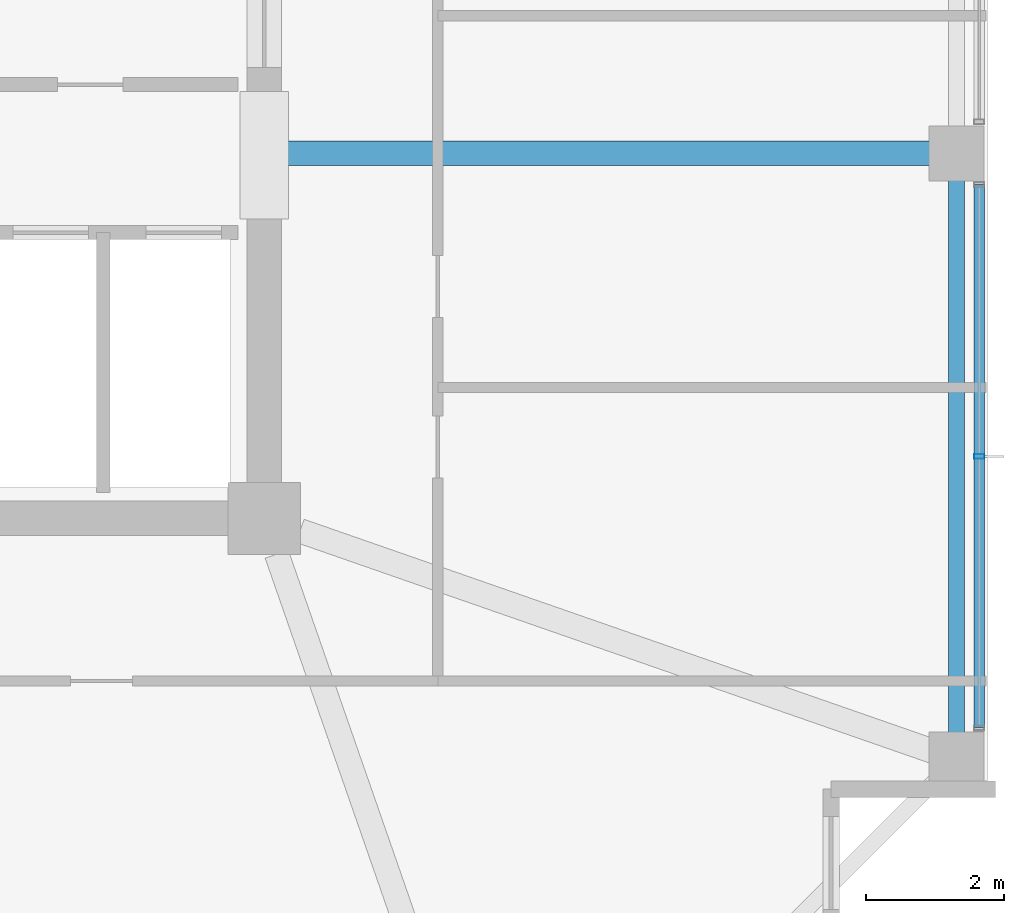
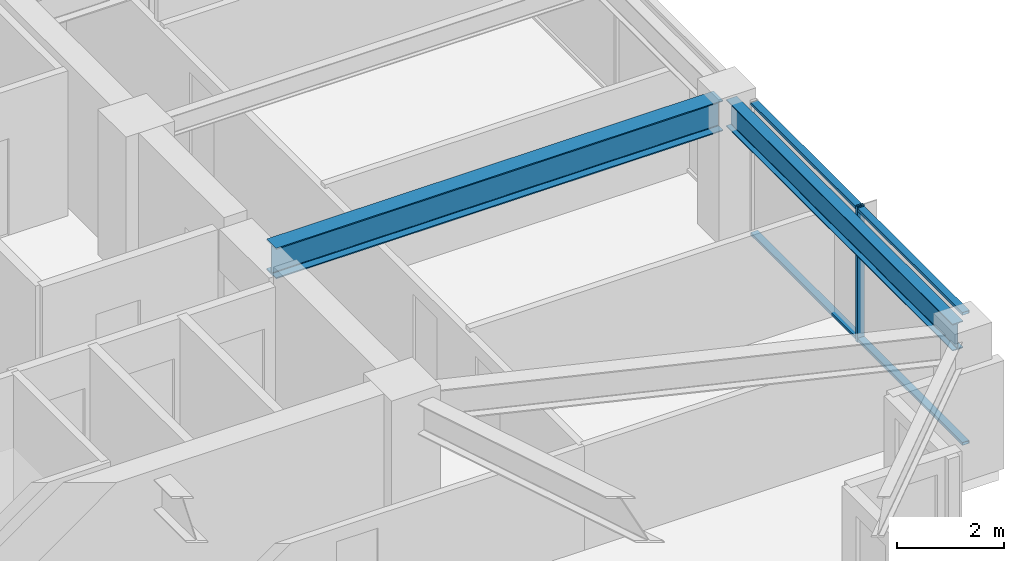
# One storey, part 12 of 36: 3 members, 2 beams, 1 element without a shape of its own.
"""IFC4 building model written with IfcOpenShell, lengths in metres."""

from ifc_helpers import new_model, si_unit, direction, frame, origin, origin_2d, place, context, subcontext, project, spatial, hollow_rectangle, i_section, extrude, material, material_profile, profile_set, type_object, element, aggregate, save


model = new_model("IFC4")

# Units and contexts
model_context = context("Model", 3, precision=1e-05, world=origin(), true_north=direction((0.0, 1.0)))
body_context = subcontext(model_context, "Body", "Model", "MODEL_VIEW")
ifc_project = project(units=[si_unit("LENGTHUNIT", "METRE"), si_unit("AREAUNIT", "SQUARE_METRE"), si_unit("VOLUMEUNIT", "CUBIC_METRE"), si_unit("PLANEANGLEUNIT", "RADIAN"), si_unit("MASSUNIT", "GRAM", prefix="KILO")], contexts=[model_context])

# Site, building, storey
site_placement = place(None, origin())
site = spatial("IfcSite", under=ifc_project, at=site_placement, CompositionType="ELEMENT")
building_placement = place(site_placement, origin())
building = spatial("IfcBuilding", under=site, at=building_placement, Name="Kolvaren Belvedere", CompositionType="ELEMENT")
storey_placement = place(building_placement, frame((0.0, 0.0, 199.800048828125)))
storey = spatial("IfcBuildingStorey", under=building, at=storey_placement, Name="L58", CompositionType="ELEMENT", Elevation=199.800048828125)

# Beams
ifc_material_1 = material(Name="Structural steel ASTM A992 Grade 50", Category="steel")
ifc_material_profile_1 = material_profile(ifc_material_1, i_section(OverallWidth=0.35498046875, OverallDepth=0.696044921875, WebThickness=0.015380859375, FlangeThickness=0.02490234375, FilletRadius=0.02197265625, at=origin_2d()), Name="W27X146")
ifc_profile_set_1 = profile_set([ifc_material_profile_1], Name="Structural steel ASTM A992 Grade 50")
beam_type_1 = type_object("IfcBeamType", Name="BM-GIRD-W27X146", PredefinedType="BEAM", material=ifc_profile_set_1)
beam_1_placement = place(storey_placement, frame((10.14990234375, -4.60009765625, 2.73193359375), z_axis=(1.0, 0.0, 0.0), x_axis=(0.0, 1.0, 0.0)))
element("IfcBeam", 1, at=beam_1_placement, inside=storey, type_object=beam_type_1, Name="L58 East Radial Girder M", PredefinedType="BEAM", context=body_context, shape_type="SweptSolid", body=[
    extrude(i_section(OverallWidth=0.35498046875, OverallDepth=0.696044921875, WebThickness=0.015380859375, FlangeThickness=0.02490234375, FilletRadius=0.02197265625, at=origin_2d()), origin(), (0.0, 0.0, 1.0), 9.6201171875),
])
ifc_material_2 = material(Name="Structural steel ASTM A992 Grade 50", Category="steel")
ifc_material_profile_2 = material_profile(ifc_material_2, i_section(OverallWidth=0.22900390625, OverallDepth=0.612060546875, WebThickness=0.011962890625, FlangeThickness=0.01953125, FilletRadius=0.01806640625, at=origin_2d()), Name="W24X84")
ifc_profile_set_2 = profile_set([ifc_material_profile_2], Name="Structural steel ASTM A992 Grade 50")
beam_type_2 = type_object("IfcBeamType", Name="BM-SPAN-W24X84", PredefinedType="SPANDREL", material=ifc_profile_set_2)
beam_2_placement = place(storey_placement, frame((19.949951171875, -13.219970703125, 2.77392578125), z_axis=(0.0, 1.0, 0.0), x_axis=(-1.0, 0.0, 0.0)))
element("IfcBeam", 2, at=beam_2_placement, inside=storey, type_object=beam_type_2, Name="L58 Perimeter Spandrel E1-E2", PredefinedType="SPANDREL", context=body_context, shape_type="SweptSolid", body=[
    extrude(i_section(OverallWidth=0.22900390625, OverallDepth=0.612060546875, WebThickness=0.011962890625, FlangeThickness=0.01953125, FilletRadius=0.01806640625, at=origin_2d()), origin(), (0.0, 0.0, 1.0), 8.43994140625),
])

# Curtain wall, members
ifc_material_3 = material(Name="Anodised pale-metal aluminium AA 6063-T6", Category="aluminium")
curtain_wall_type = type_object("IfcCurtainWallType", Name="CW-Z5-HIGH", PredefinedType="NOTDEFINED", material=ifc_material_3)
curtain_wall_placement = place(storey_placement, origin())
curtain_wall = element("IfcCurtainWall", 3, at=curtain_wall_placement, inside=storey, type_object=curtain_wall_type, Name="L58 Unitised Curtain Wall FCW-L58-E-B3", PredefinedType="NOTDEFINED")
ifc_material_4 = material(Name="Anodised pale-metal aluminium AA 6063-T6", Category="aluminium")
ifc_material_profile_3 = material_profile(ifc_material_4, hollow_rectangle(XDim=0.070068359375, YDim=0.14990234375, WallThickness=0.004150390625, at=origin_2d()), Name="ALU-MUL-150X70")
ifc_profile_set_3 = profile_set([ifc_material_profile_3], Name="Anodised pale-metal aluminium AA 6063-T6")
member_type_1 = type_object("IfcMemberType", Name="CW-MUL-150", PredefinedType="MULLION", material=ifc_profile_set_3)
member_1_placement = place(storey_placement, frame((20.280029296875, -9.0, 0.0), z_axis=(0.0, 0.0, 1.0), x_axis=(0.0, 1.0, 0.0)))
member_1 = element("IfcMember", 4, at=member_1_placement, type_object=member_type_1, Name="FCW-L58-E-B3 Unitised Mullion 2", PredefinedType="MULLION", context=body_context, shape_type="SweptSolid", body=[
    extrude(hollow_rectangle(XDim=0.070068359375, YDim=0.14990234375, WallThickness=0.004150390625, at=origin_2d()), origin(), (0.0, 0.0, 1.0), 3.079833984375),
])
ifc_material_5 = material(Name="Anodised pale-metal aluminium AA 6063-T6", Category="aluminium")
ifc_material_profile_4 = material_profile(ifc_material_5, hollow_rectangle(XDim=0.06494140625, YDim=0.14990234375, WallThickness=0.00390625, at=origin_2d()), Name="ALU-TRN-150X65")
ifc_profile_set_4 = profile_set([ifc_material_profile_4], Name="Anodised pale-metal aluminium AA 6063-T6")
member_type_2 = type_object("IfcMemberType", Name="CW-TRN-150", PredefinedType="USERDEFINED", material=ifc_profile_set_4)
member_2_placement = place(storey_placement, frame((20.280029296875, -5.054931640625, 0.06005859375), z_axis=(0.0, -1.0, 0.0), x_axis=(0.0, 0.0, 1.0)))
member_2 = element("IfcMember", 5, at=member_2_placement, type_object=member_type_2, Name="FCW-L58-E-B3 Sill Transom", ObjectType="TRANSOM", PredefinedType="USERDEFINED", context=body_context, shape_type="SweptSolid", body=[
    extrude(hollow_rectangle(XDim=0.06494140625, YDim=0.14990234375, WallThickness=0.00390625, at=origin_2d()), origin(), (0.0, 0.0, 1.0), 7.89013671875),
])
member_3_placement = place(storey_placement, frame((20.280029296875, -5.054931640625, 3.02001953125), z_axis=(0.0, -1.0, 0.0), x_axis=(0.0, 0.0, 1.0)))
member_3 = element("IfcMember", 6, at=member_3_placement, type_object=member_type_2, Name="FCW-L58-E-B3 Head Transom", ObjectType="TRANSOM", PredefinedType="USERDEFINED", context=body_context, shape_type="SweptSolid", body=[
    extrude(hollow_rectangle(XDim=0.06494140625, YDim=0.14990234375, WallThickness=0.00390625, at=origin_2d()), origin(), (0.0, 0.0, 1.0), 7.89013671875),
])
aggregate(curtain_wall, [member_1, member_2, member_3])

save(model, "model.ifc")
